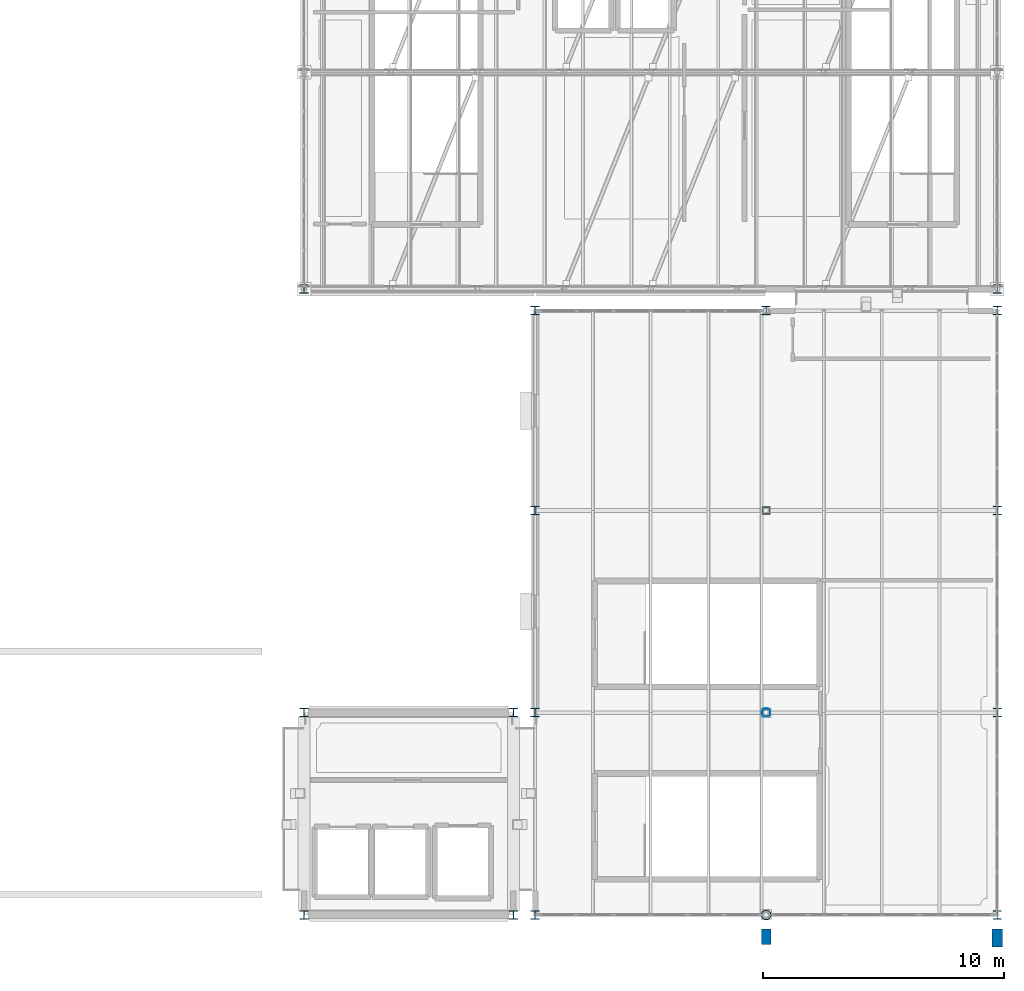
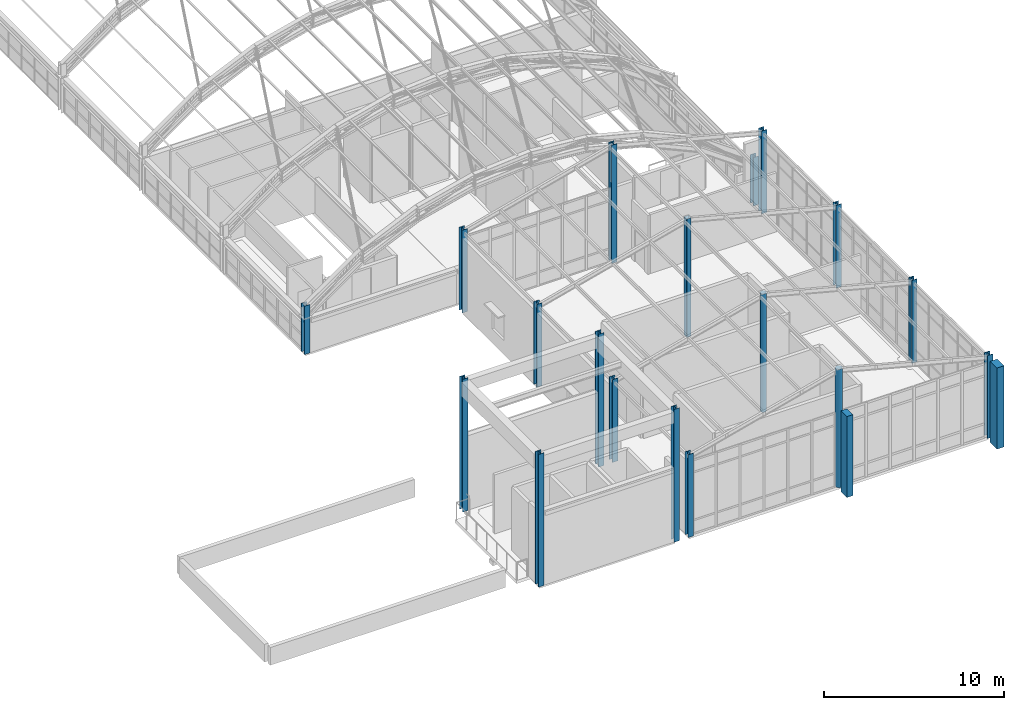
# One storey, part 1 of 121: 20 columns.
"""IFC4 building model written with IfcOpenShell, lengths in metres."""

from ifc_helpers import new_model, si_unit, direction, frame, origin, origin_2d, place, context, subcontext, project, spatial, rectangle, hollow_rectangle, hollow_circle, i_section, extrude, material, material_profile, profile_set, type_object, element, save


model = new_model("IFC4")

# Units and contexts
model_context = context("Model", 3, precision=1e-05, world=origin(), true_north=direction((0.0, 1.0)))
body_context = subcontext(model_context, "Body", "Model", "MODEL_VIEW")
ifc_project = project(units=[si_unit("LENGTHUNIT", "METRE"), si_unit("AREAUNIT", "SQUARE_METRE"), si_unit("VOLUMEUNIT", "CUBIC_METRE"), si_unit("PLANEANGLEUNIT", "RADIAN"), si_unit("MASSUNIT", "GRAM", prefix="KILO")], contexts=[model_context])

# Site, building, storey
site_placement = place(None, origin())
site = spatial("IfcSite", under=ifc_project, at=site_placement, CompositionType="ELEMENT")
building_placement = place(site_placement, origin())
building = spatial("IfcBuilding", under=site, at=building_placement, Name="Canglan Escarpment Cableway Terminal", CompositionType="ELEMENT")
storey_placement = place(building_placement, frame((0.0, 0.0, 24.60009765625)))
storey = spatial("IfcBuildingStorey", under=building, at=storey_placement, Name="L05", CompositionType="ELEMENT", Elevation=24.60009765625)

# Columns
ifc_material_1 = material(Name="Steel Q355B", Category="steel")
ifc_material_profile_1 = material_profile(ifc_material_1, hollow_circle(Radius=0.177734375, WallThickness=0.012451171875, at=origin_2d()), Name="CHS 355.6x12.5")
ifc_profile_set_1 = profile_set([ifc_material_profile_1], Name="Steel Q355B")
column_type_1 = type_object("IfcColumnType", Name="COL-CHS355-Q355B", PredefinedType="COLUMN", material=ifc_profile_set_1)
column_1_placement = place(storey_placement, frame((156.800048828125, 16.39990234375, 0.0), z_axis=(0.0, 0.0, 1.0), x_axis=(1.0, 0.0, 0.0)))
element("IfcColumn", 1, at=column_1_placement, inside=storey, type_object=column_type_1, Name="Structural column C-13", PredefinedType="COLUMN", context=body_context, shape_type="SweptSolid", body=[
    extrude(hollow_circle(Radius=0.177734375, WallThickness=0.012451171875, at=origin_2d()), origin(), (0.0, 0.0, 1.0), 8.02001953125),
])
ifc_material_2 = material(Name="Steel Q355C", Category="steel")
ifc_material_profile_2 = material_profile(ifc_material_2, hollow_circle(Radius=0.203125, WallThickness=0.01611328125, at=origin_2d()), Name="CHS 406.4x16")
ifc_profile_set_2 = profile_set([ifc_material_profile_2], Name="Steel Q355C")
column_type_2 = type_object("IfcColumnType", Name="COL-CHS406-Q355C", PredefinedType="COLUMN", material=ifc_profile_set_2)
column_2_placement = place(storey_placement, frame((156.800048828125, 8.0, 0.0), z_axis=(0.0, 0.0, 1.0), x_axis=(1.0, 0.0, 0.0)))
element("IfcColumn", 2, at=column_2_placement, inside=storey, type_object=column_type_2, Name="Structural column C-12", PredefinedType="COLUMN", context=body_context, shape_type="SweptSolid", body=[
    extrude(hollow_circle(Radius=0.203125, WallThickness=0.01611328125, at=origin_2d()), origin(), (0.0, 0.0, 1.0), 8.02001953125),
])
ifc_material_profile_3 = material_profile(ifc_material_2, i_section(OverallWidth=0.35009765625, OverallDepth=0.35009765625, WebThickness=0.011962890625, FlangeThickness=0.01904296875, FilletRadius=0.02001953125, at=origin_2d()), Name="HW 350x350x12x19")
ifc_profile_set_3 = profile_set([ifc_material_profile_3], Name="Steel Q355C")
column_type_3 = type_object("IfcColumnType", Name="COL-HW350-Q355C", PredefinedType="COLUMN", material=ifc_profile_set_3)
for number, where, z_axis, x_axis, name in (
    (3, (137.60009765625, 8.0, 0.0), (0.0, 0.0, 1.0), (1.0, 0.0, 0.0), "Structural column C-09"),
    (4, (137.60009765625, 16.39990234375, 0.0), (0.0, 0.0, 1.0), (1.0, 0.0, 0.0), "Structural column C-09"),
    (5, (146.300048828125, 8.0, 0.0), (0.0, 0.0, 1.0), (1.0, 0.0, 0.0), "Structural column C-09"),
    (6, (146.300048828125, 16.39990234375, 0.0), (0.0, 0.0, 1.0), (1.0, 0.0, 0.0), "Structural column C-09"),
):
    element("IfcColumn", number, at=place(storey_placement, frame(where, z_axis=z_axis, x_axis=x_axis)), inside=storey, type_object=column_type_3, Name=name, PredefinedType="COLUMN", context=body_context, shape_type="SweptSolid", body=[
        extrude(i_section(OverallWidth=0.35009765625, OverallDepth=0.35009765625, WebThickness=0.011962890625, FlangeThickness=0.01904296875, FilletRadius=0.02001953125, at=origin_2d()), origin(), (0.0, 0.0, 1.0), 9.0),
    ])
for number, where, z_axis, x_axis, name in (
    (7, (147.199951171875, 8.0, 0.0), (0.0, 0.0, 1.0), (1.0, 0.0, 0.0), "Structural column C-09"),
    (8, (147.199951171875, 16.39990234375, 0.0), (0.0, 0.0, 1.0), (1.0, 0.0, 0.0), "Structural column C-09"),
    (9, (147.199951171875, 24.800048828125, 0.0), (0.0, 0.0, 1.0), (1.0, 0.0, 0.0), "Structural column C-09"),
    (10, (147.199951171875, 33.10009765625, 0.0), (0.0, 0.0, 1.0), (1.0, 0.0, 0.0), "Structural column C-09"),
):
    element("IfcColumn", number, at=place(storey_placement, frame(where, z_axis=z_axis, x_axis=x_axis)), inside=storey, type_object=column_type_3, Name=name, PredefinedType="COLUMN", context=body_context, shape_type="SweptSolid", body=[
        extrude(i_section(OverallWidth=0.35009765625, OverallDepth=0.35009765625, WebThickness=0.011962890625, FlangeThickness=0.01904296875, FilletRadius=0.02001953125, at=origin_2d()), origin(), (0.0, 0.0, 1.0), 5.619873046875),
    ])
column_3_placement = place(storey_placement, frame((156.800048828125, 33.10009765625, 0.0), z_axis=(0.0, 0.0, 1.0), x_axis=(1.0, 0.0, 0.0)))
element("IfcColumn", 11, at=column_3_placement, inside=storey, type_object=column_type_3, Name="Structural column C-09", PredefinedType="COLUMN", context=body_context, shape_type="SweptSolid", body=[
    extrude(i_section(OverallWidth=0.35009765625, OverallDepth=0.35009765625, WebThickness=0.011962890625, FlangeThickness=0.01904296875, FilletRadius=0.02001953125, at=origin_2d()), origin(), (0.0, 0.0, 1.0), 8.02001953125),
])
for number, where, z_axis, x_axis, name in (
    (12, (166.39990234375, 8.0, 0.0), (0.0, 0.0, 1.0), (1.0, 0.0, 0.0), "Structural column C-09"),
    (13, (166.39990234375, 16.39990234375, 0.0), (0.0, 0.0, 1.0), (1.0, 0.0, 0.0), "Structural column C-09"),
    (14, (166.39990234375, 24.800048828125, 0.0), (0.0, 0.0, 1.0), (1.0, 0.0, 0.0), "Structural column C-09"),
    (15, (166.39990234375, 33.10009765625, 0.0), (0.0, 0.0, 1.0), (1.0, 0.0, 0.0), "Structural column C-09"),
):
    element("IfcColumn", number, at=place(storey_placement, frame(where, z_axis=z_axis, x_axis=x_axis)), inside=storey, type_object=column_type_3, Name=name, PredefinedType="COLUMN", context=body_context, shape_type="SweptSolid", body=[
        extrude(i_section(OverallWidth=0.35009765625, OverallDepth=0.35009765625, WebThickness=0.011962890625, FlangeThickness=0.01904296875, FilletRadius=0.02001953125, at=origin_2d()), origin(), (0.0, 0.0, 1.0), 5.619873046875),
    ])
for number, where, z_axis, x_axis, name in (
    (16, (137.60009765625, 34.0, 0.0), (0.0, 0.0, 1.0), (1.0, 0.0, 0.0), "Structural column C-09"),
    (17, (166.39990234375, 34.0, 0.0), (0.0, 0.0, 1.0), (1.0, 0.0, 0.0), "Structural column C-09"),
):
    element("IfcColumn", number, at=place(storey_placement, frame(where, z_axis=z_axis, x_axis=x_axis)), inside=storey, type_object=column_type_3, Name=name, PredefinedType="COLUMN", context=body_context, shape_type="SweptSolid", body=[
        extrude(i_section(OverallWidth=0.35009765625, OverallDepth=0.35009765625, WebThickness=0.011962890625, FlangeThickness=0.01904296875, FilletRadius=0.02001953125, at=origin_2d()), origin(), (0.0, 0.0, 1.0), 3.282470703125),
    ])
ifc_material_profile_4 = material_profile(ifc_material_1, hollow_rectangle(XDim=0.300048828125, YDim=0.300048828125, WallThickness=0.011962890625, InnerFilletRadius=0.011962890625, OuterFilletRadius=0.02392578125, at=origin_2d()), Name="SHS 300x300x12")
ifc_profile_set_4 = profile_set([ifc_material_profile_4], Name="Steel Q355B")
column_type_4 = type_object("IfcColumnType", Name="COL-SHS300-Q355B", PredefinedType="COLUMN", material=ifc_profile_set_4)
column_4_placement = place(storey_placement, frame((156.800048828125, 24.800048828125, 0.0), z_axis=(0.0, 0.0, 1.0), x_axis=(1.0, 0.0, 0.0)))
element("IfcColumn", 18, at=column_4_placement, inside=storey, type_object=column_type_4, Name="Structural column C-14", PredefinedType="COLUMN", context=body_context, shape_type="SweptSolid", body=[
    extrude(hollow_rectangle(XDim=0.300048828125, YDim=0.300048828125, WallThickness=0.011962890625, InnerFilletRadius=0.011962890625, OuterFilletRadius=0.02392578125, at=origin_2d()), origin(), (0.0, 0.0, 1.0), 8.02001953125),
])
ifc_material_3 = material(Name="Concrete C40", Category="concrete")
ifc_material_profile_5 = material_profile(ifc_material_3, rectangle(XDim=0.39990234375, YDim=0.64990234375, at=origin_2d()), Name="RC-PIL 400x650")
ifc_profile_set_5 = profile_set([ifc_material_profile_5], Name="Concrete C40")
column_type_5 = type_object("IfcColumnType", Name="PIL-RC400x650", PredefinedType="PILASTER", material=ifc_profile_set_5)
column_5_placement = place(storey_placement, frame((156.800048828125, 7.094970703125, 0.0), z_axis=(0.0, 0.0, 1.0), x_axis=(1.0, 0.0, 0.0)))
element("IfcColumn", 19, at=column_5_placement, inside=storey, type_object=column_type_5, Name="Neoclassical engaged pilaster PL-02", PredefinedType="PILASTER", context=body_context, shape_type="SweptSolid", body=[
    extrude(rectangle(XDim=0.39990234375, YDim=0.64990234375, at=origin_2d()), origin(), (0.0, 0.0, 1.0), 5.5),
])
ifc_material_profile_6 = material_profile(ifc_material_3, rectangle(XDim=0.449951171875, YDim=0.75, at=origin_2d()), Name="RC-PIL 450x750")
ifc_profile_set_6 = profile_set([ifc_material_profile_6], Name="Concrete C40")
column_type_6 = type_object("IfcColumnType", Name="PIL-RC450x750", PredefinedType="PILASTER", material=ifc_profile_set_6)
column_6_placement = place(storey_placement, frame((166.39990234375, 7.044921875, 0.0), z_axis=(0.0, 0.0, 1.0), x_axis=(1.0, 0.0, 0.0)))
element("IfcColumn", 20, at=column_6_placement, inside=storey, type_object=column_type_6, Name="Neoclassical engaged pilaster PL-01", PredefinedType="PILASTER", context=body_context, shape_type="SweptSolid", body=[
    extrude(rectangle(XDim=0.449951171875, YDim=0.75, at=origin_2d()), origin(), (0.0, 0.0, 1.0), 5.5),
])

save(model, "model.ifc")
